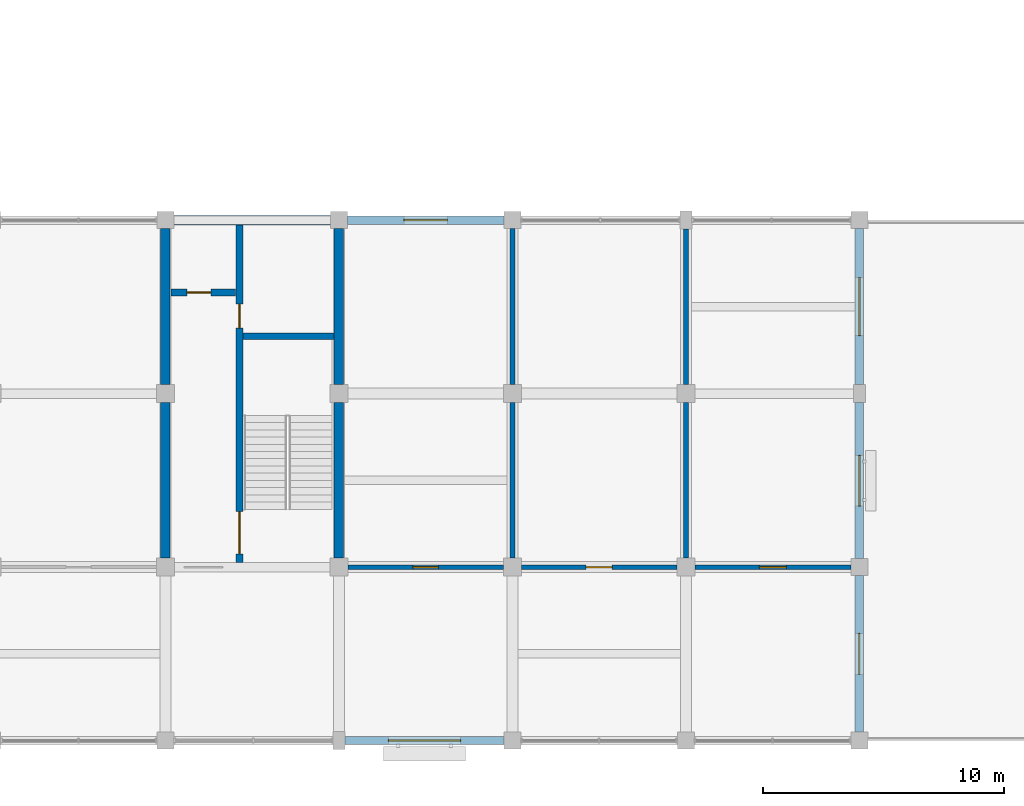
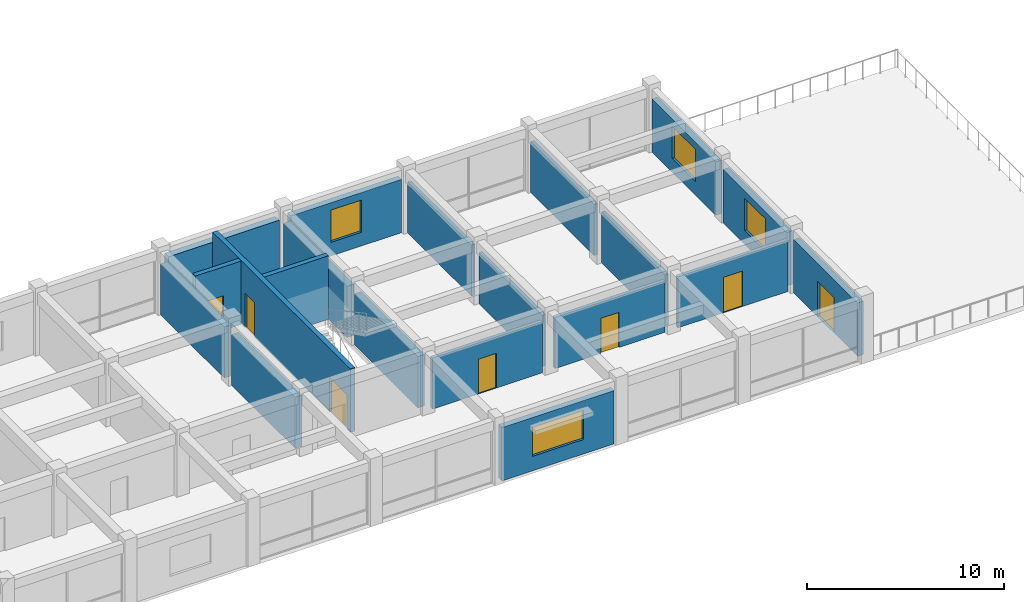
# One storey, part 24 of 31: 20 walls, 7 doors, 4 windows, 11 openings.
"""IFC4 building model written with IfcOpenShell, lengths in metres."""

from ifc_helpers import new_model, si_unit, direction, frame, frame_2d, origin, place, context, subcontext, project, spatial, rectangle, extrude, material, layer, layer_set, type_object, element, fill, save


model = new_model("IFC4")

# Units and contexts
model_context = context("Model", 3, precision=1e-05, world=origin(), true_north=direction((0.0, 1.0)))
body_context = subcontext(model_context, "Body", "Model", "MODEL_VIEW")
ifc_project = project(units=[si_unit("LENGTHUNIT", "METRE"), si_unit("AREAUNIT", "SQUARE_METRE"), si_unit("VOLUMEUNIT", "CUBIC_METRE"), si_unit("PLANEANGLEUNIT", "RADIAN"), si_unit("MASSUNIT", "GRAM", prefix="KILO")], contexts=[model_context])

# Site, building, storey
site_placement = place(None, origin())
site = spatial("IfcSite", under=ifc_project, at=site_placement, CompositionType="ELEMENT")
building_placement = place(site_placement, origin())
building = spatial("IfcBuilding", under=site, at=building_placement, Name="Cendaluz Park School", CompositionType="ELEMENT")
storey_placement = place(building_placement, frame((0.0, 0.0, 14.39990234375)))
storey = spatial("IfcBuildingStorey", under=building, at=storey_placement, Name="L03", CompositionType="ELEMENT", Elevation=14.39990234375)

# Wall, opening, door
ifc_material_1 = material(Name="Gypsum Plasterboard on Cold-Formed Stud", Category="gypsum")
ifc_layer_1 = layer(ifc_material_1, 0.199951171875)
ifc_layer_set_1 = layer_set([ifc_layer_1], Name="Gypsum Plasterboard on Cold-Formed Stud")
wall_type_1 = type_object("IfcWallType", Name="W-AC20", PredefinedType="PARTITIONING", material=ifc_layer_set_1)
wall_1_placement = place(storey_placement, frame((137.175048828125, 14.39990234375, 0.0), z_axis=(0.0, 0.0, 1.0), x_axis=(1.0, 0.0, 0.0)))
wall_1 = element("IfcWall", 1, at=wall_1_placement, inside=storey, type_object=wall_type_1, Name="WL-FD-BN7", PredefinedType="PARTITIONING", context=body_context, shape_type="SweptSolid", body=[
    extrude(rectangle(XDim=6.449951171875, YDim=0.199951171875, at=frame_2d((3.22509765625, 0.0))), origin(), (0.0, 0.0, 1.0), 3.170166015625),
])
opening_1_placement = place(wall_1_placement, frame((2.695068359375, 0.0, 0.0)))
opening_1 = element("IfcOpeningElement", 2, at=opening_1_placement, cuts=wall_1, Name="Opening DCL-04", PredefinedType="OPENING", context=body_context, shape_type="SweptSolid", body=[
    extrude(rectangle(XDim=1.06005859375, YDim=2.159912109375, at=frame_2d((0.530029296875, 1.080078125))), frame((0.0, 0.112060546875, 0.0), z_axis=(0.0, -1.0, 0.0), x_axis=(1.0, 0.0, 0.0)), (0.0, 0.0, 1.0), 0.223876953125),
])
ifc_material_2 = material(Name="Solid Core Hardwood", Category="wood")
door_type_1 = type_object("IfcDoorType", Name="DCL-04", OperationType="NOTDEFINED", PredefinedType="DOOR", material=ifc_material_2)
door_1_placement = place(opening_1_placement, origin())
door_1 = element("IfcDoor", 3, at=door_1_placement, inside=storey, type_object=door_type_1, Name="D-L03-038", OperationType="SINGLE_SWING_RIGHT", OverallHeight=2.159912109375, OverallWidth=1.06005859375, PredefinedType="DOOR", context=body_context, shape_type="SweptSolid", body=[
    extrude(rectangle(XDim=1.06005859375, YDim=2.159912109375, at=frame_2d((0.530029296875, 1.080078125))), frame((0.0, 0.02490234375, 0.0), z_axis=(0.0, -1.0, 0.0), x_axis=(1.0, 0.0, 0.0)), (0.0, 0.0, 1.0), 0.050048828125),
])
fill(opening_1, door_1)

# Walls
wall_2_placement = place(storey_placement, frame((144.0, 14.77490234375, 0.0), z_axis=(0.0, 0.0, 1.0), x_axis=(0.0, 1.0, 0.0)))
element("IfcWall", 4, at=wall_2_placement, inside=storey, type_object=wall_type_1, Name="WL-FD-BN8", PredefinedType="PARTITIONING", context=body_context, shape_type="SweptSolid", body=[
    extrude(rectangle(XDim=6.4501953125, YDim=0.199951171875, at=frame_2d((3.22509765625, 0.0))), origin(), (0.0, 0.0, 1.0), 3.170166015625),
])
wall_3_placement = place(storey_placement, frame((144.0, 21.97509765625, 0.0), z_axis=(0.0, 0.0, 1.0), x_axis=(0.0, 1.0, 0.0)))
element("IfcWall", 5, at=wall_3_placement, inside=storey, type_object=wall_type_1, Name="WL-FD-BN9", PredefinedType="PARTITIONING", context=body_context, shape_type="SweptSolid", body=[
    extrude(rectangle(XDim=6.474853515625, YDim=0.199951171875, at=frame_2d((3.2373046875, 0.0))), origin(), (0.0, 0.0, 1.0), 3.170166015625),
])

# Wall, opening, door
wall_4_placement = place(storey_placement, frame((144.375, 14.39990234375, 0.0), z_axis=(0.0, 0.0, 1.0), x_axis=(1.0, 0.0, 0.0)))
wall_4 = element("IfcWall", 6, at=wall_4_placement, inside=storey, type_object=wall_type_1, Name="WL-FD-BO0", PredefinedType="PARTITIONING", context=body_context, shape_type="SweptSolid", body=[
    extrude(rectangle(XDim=6.449951171875, YDim=0.199951171875, at=frame_2d((3.22509765625, 0.0))), origin(), (0.0, 0.0, 1.0), 3.170166015625),
])
opening_2_placement = place(wall_4_placement, frame((2.68505859375, 0.0, 0.0)))
opening_2 = element("IfcOpeningElement", 7, at=opening_2_placement, cuts=wall_4, Name="Opening DCL-05", PredefinedType="OPENING", context=body_context, shape_type="SweptSolid", body=[
    extrude(rectangle(XDim=1.080078125, YDim=2.179931640625, at=frame_2d((0.5400390625, 1.08984375))), frame((0.0, 0.112060546875, 0.0), z_axis=(0.0, -1.0, 0.0), x_axis=(1.0, 0.0, 0.0)), (0.0, 0.0, 1.0), 0.223876953125),
])
door_type_2 = type_object("IfcDoorType", Name="DCL-05", OperationType="NOTDEFINED", PredefinedType="DOOR", material=ifc_material_2)
door_2_placement = place(opening_2_placement, origin())
door_2 = element("IfcDoor", 8, at=door_2_placement, inside=storey, type_object=door_type_2, Name="D-L03-039", OperationType="SINGLE_SWING_LEFT", OverallHeight=2.179931640625, OverallWidth=1.080078125, PredefinedType="DOOR", context=body_context, shape_type="SweptSolid", body=[
    extrude(rectangle(XDim=1.080078125, YDim=2.179931640625, at=frame_2d((0.5400390625, 1.08984375))), frame((0.0, 0.02490234375, 0.0), z_axis=(0.0, -1.0, 0.0), x_axis=(1.0, 0.0, 0.0)), (0.0, 0.0, 1.0), 0.050048828125),
])
fill(opening_2, door_2)

# Walls
wall_5_placement = place(storey_placement, frame((151.199951171875, 14.77490234375, 0.0), z_axis=(0.0, 0.0, 1.0), x_axis=(0.0, 1.0, 0.0)))
element("IfcWall", 9, at=wall_5_placement, inside=storey, type_object=wall_type_1, Name="WL-FD-BO1", PredefinedType="PARTITIONING", context=body_context, shape_type="SweptSolid", body=[
    extrude(rectangle(XDim=6.4501953125, YDim=0.199951171875, at=frame_2d((3.22509765625, 0.0))), origin(), (0.0, 0.0, 1.0), 3.170166015625),
])
wall_6_placement = place(storey_placement, frame((151.199951171875, 21.97509765625, 0.0), z_axis=(0.0, 0.0, 1.0), x_axis=(0.0, 1.0, 0.0)))
element("IfcWall", 10, at=wall_6_placement, inside=storey, type_object=wall_type_1, Name="WL-FD-BO2", PredefinedType="PARTITIONING", context=body_context, shape_type="SweptSolid", body=[
    extrude(rectangle(XDim=6.449951171875, YDim=0.199951171875, at=frame_2d((3.22509765625, 0.0))), origin(), (0.0, 0.0, 1.0), 3.170166015625),
])

# Wall, opening, door
wall_7_placement = place(storey_placement, frame((151.574951171875, 14.39990234375, 0.0), z_axis=(0.0, 0.0, 1.0), x_axis=(1.0, 0.0, 0.0)))
wall_7 = element("IfcWall", 11, at=wall_7_placement, inside=storey, type_object=wall_type_1, Name="WL-FD-BO3", PredefinedType="PARTITIONING", context=body_context, shape_type="SweptSolid", body=[
    extrude(rectangle(XDim=6.47509765625, YDim=0.199951171875, at=frame_2d((3.237548828125, 0.0))), origin(), (0.0, 0.0, 1.0), 3.170166015625),
])
opening_3_placement = place(wall_7_placement, frame((2.677490234375, 0.0, 0.0)))
opening_3 = element("IfcOpeningElement", 12, at=opening_3_placement, cuts=wall_7, Name="Opening DCL-06", PredefinedType="OPENING", context=body_context, shape_type="SweptSolid", body=[
    extrude(rectangle(XDim=1.1201171875, YDim=2.199951171875, at=frame_2d((0.56005859375, 1.10009765625))), frame((0.0, 0.112060546875, 0.0), z_axis=(0.0, -1.0, 0.0), x_axis=(1.0, 0.0, 0.0)), (0.0, 0.0, 1.0), 0.223876953125),
])
door_type_3 = type_object("IfcDoorType", Name="DCL-06", OperationType="NOTDEFINED", PredefinedType="DOOR", material=ifc_material_2)
door_3_placement = place(opening_3_placement, origin())
door_3 = element("IfcDoor", 13, at=door_3_placement, inside=storey, type_object=door_type_3, Name="D-L03-040", OperationType="SINGLE_SWING_RIGHT", OverallHeight=2.199951171875, OverallWidth=1.1201171875, PredefinedType="DOOR", context=body_context, shape_type="SweptSolid", body=[
    extrude(rectangle(XDim=1.1201171875, YDim=2.199951171875, at=frame_2d((0.56005859375, 1.10009765625))), frame((0.0, 0.02490234375, 0.0), z_axis=(0.0, -1.0, 0.0), x_axis=(1.0, 0.0, 0.0)), (0.0, 0.0, 1.0), 0.050048828125),
])
fill(opening_3, door_3)

# Wall, opening, window
ifc_material_3 = material(Name="Concrete C40/50 precast", Category="concrete")
ifc_layer_2 = layer(ifc_material_3, 0.340087890625)
ifc_layer_set_2 = layer_set([ifc_layer_2], Name="Concrete C40/50 precast")
wall_type_2 = type_object("IfcWallType", Name="W-EX34", PredefinedType="SOLIDWALL", material=ifc_layer_set_2)
wall_8_placement = place(storey_placement, frame((137.050048828125, 7.199951171875, 0.0), z_axis=(0.0, 0.0, 1.0), x_axis=(1.0, 0.0, 0.0)))
wall_8 = element("IfcWall", 14, at=wall_8_placement, inside=storey, type_object=wall_type_2, Name="WL-FD-AB7", PredefinedType="SOLIDWALL", context=body_context, shape_type="SweptSolid", body=[
    extrude(rectangle(XDim=6.599853515625, YDim=0.340087890625, at=frame_2d((3.2998046875, 0.0))), origin(), (0.0, 0.0, 1.0), 3.31005859375),
])
opening_4_placement = place(wall_8_placement, frame((1.800048828125, 0.0, 0.89990234375)))
opening_4 = element("IfcOpeningElement", 15, at=opening_4_placement, cuts=wall_8, Name="Opening WN-07", PredefinedType="OPENING", context=body_context, shape_type="SweptSolid", body=[
    extrude(rectangle(XDim=3.0, YDim=1.800048828125, at=frame_2d((1.5, 0.89990234375))), frame((0.0, 0.18212890625, 0.0), z_axis=(0.0, -1.0, 0.0), x_axis=(1.0, 0.0, 0.0)), (0.0, 0.0, 1.0), 0.364013671875),
])
ifc_material_4 = material(Name="Tempered Low-E Double Glazing", Category="glass")
window_type_1 = type_object("IfcWindowType", Name="WN-07", PartitioningType="SINGLE_PANEL", PredefinedType="WINDOW", material=ifc_material_4)
window_1_placement = place(opening_4_placement, origin())
window_1 = element("IfcWindow", 16, at=window_1_placement, inside=storey, type_object=window_type_1, Name="WN-L03-017", OverallHeight=1.800048828125, OverallWidth=3.0, PartitioningType="SINGLE_PANEL", PredefinedType="WINDOW", context=body_context, shape_type="SweptSolid", body=[
    extrude(rectangle(XDim=3.0, YDim=1.800048828125, at=frame_2d((1.5, 0.89990234375))), frame((0.0, 0.030029296875, 0.0), z_axis=(0.0, -1.0, 0.0), x_axis=(1.0, 0.0, 0.0)), (0.0, 0.0, 1.0), 0.06005859375),
])
fill(opening_4, window_1)

wall_9_placement = place(storey_placement, frame((137.14990234375, 28.800048828125, 0.0), z_axis=(0.0, 0.0, 1.0), x_axis=(1.0, 0.0, 0.0)))
wall_9 = element("IfcWall", 17, at=wall_9_placement, inside=storey, type_object=wall_type_2, Name="WL-FD-AB8", PredefinedType="SOLIDWALL", context=body_context, shape_type="SweptSolid", body=[
    extrude(rectangle(XDim=6.5, YDim=0.340087890625, at=frame_2d((3.25, 0.0))), origin(), (0.0, 0.0, 1.0), 3.31005859375),
])
opening_5_placement = place(wall_9_placement, frame((2.35009765625, 0.0, 0.85009765625)))
opening_5 = element("IfcOpeningElement", 18, at=opening_5_placement, cuts=wall_9, Name="Opening WN-10", PredefinedType="OPENING", context=body_context, shape_type="SweptSolid", body=[
    extrude(rectangle(XDim=1.800048828125, YDim=2.0, at=frame_2d((0.89990234375, 1.0))), frame((0.0, 0.18212890625, 0.0), z_axis=(0.0, -1.0, 0.0), x_axis=(1.0, 0.0, 0.0)), (0.0, 0.0, 1.0), 0.364013671875),
])
window_type_2 = type_object("IfcWindowType", Name="WN-10", PartitioningType="SINGLE_PANEL", PredefinedType="WINDOW", material=ifc_material_4)
window_2_placement = place(opening_5_placement, origin())
window_2 = element("IfcWindow", 19, at=window_2_placement, inside=storey, type_object=window_type_2, Name="WN-L03-018", OverallHeight=2.0, OverallWidth=1.800048828125, PartitioningType="SINGLE_PANEL", PredefinedType="WINDOW", context=body_context, shape_type="SweptSolid", body=[
    extrude(rectangle(XDim=1.800048828125, YDim=2.0, at=frame_2d((0.89990234375, 1.0))), frame((0.0, 0.030029296875, 0.0), z_axis=(0.0, -1.0, 0.0), x_axis=(1.0, 0.0, 0.0)), (0.0, 0.0, 1.0), 0.06005859375),
])
fill(opening_5, window_2)

# Wall, opening, door
wall_10_placement = place(storey_placement, frame((158.39990234375, 7.550048828125, 0.0), z_axis=(0.0, 0.0, 1.0), x_axis=(0.0, 1.0, 0.0)))
wall_10 = element("IfcWall", 20, at=wall_10_placement, inside=storey, type_object=wall_type_2, Name="WL-FD-AB9", PredefinedType="SOLIDWALL", context=body_context, shape_type="SweptSolid", body=[
    extrude(rectangle(XDim=6.5, YDim=0.340087890625, at=frame_2d((3.25, 0.0))), origin(), (0.0, 0.0, 1.0), 3.31005859375),
])
opening_6_placement = place(wall_10_placement, frame((2.39990234375, 0.0, 0.0)))
opening_6 = element("IfcOpeningElement", 21, at=opening_6_placement, cuts=wall_10, Name="Opening DPD-04", PredefinedType="OPENING", context=body_context, shape_type="SweptSolid", body=[
    extrude(rectangle(XDim=1.699951171875, YDim=2.199951171875, at=frame_2d((0.85009765625, 1.10009765625))), frame((0.0, 0.18212890625, 0.0), z_axis=(0.0, -1.0, 0.0), x_axis=(1.0, 0.0, 0.0)), (0.0, 0.0, 1.0), 0.364013671875),
])
ifc_material_5 = material(Name="Architectural Bronze")
door_type_4 = type_object("IfcDoorType", Name="DPD-04", OperationType="DOUBLE_DOOR_SINGLE_SWING", PredefinedType="DOOR", material=ifc_material_5)
door_4_placement = place(opening_6_placement, frame((1.699951171875, 0.0, 0.0), z_axis=(0.0, 0.0, 1.0), x_axis=(-1.0, 0.0, 0.0)))
door_4 = element("IfcDoor", 22, at=door_4_placement, inside=storey, type_object=door_type_4, Name="D-L03-002", OperationType="DOUBLE_DOOR_SINGLE_SWING", OverallHeight=2.199951171875, OverallWidth=1.699951171875, PredefinedType="DOOR", context=body_context, shape_type="SweptSolid", body=[
    extrude(rectangle(XDim=1.699951171875, YDim=2.199951171875, at=frame_2d((0.85009765625, 1.10009765625))), frame((0.0, 0.02490234375, 0.0), z_axis=(0.0, -1.0, 0.0), x_axis=(1.0, 0.0, 0.0)), (0.0, 0.0, 1.0), 0.050048828125),
])
fill(opening_6, door_4)

# Wall, opening, window
wall_11_placement = place(storey_placement, frame((158.39990234375, 14.75, 0.0), z_axis=(0.0, 0.0, 1.0), x_axis=(0.0, 1.0, 0.0)))
wall_11 = element("IfcWall", 23, at=wall_11_placement, inside=storey, type_object=wall_type_2, Name="WL-FD-AC0", PredefinedType="SOLIDWALL", context=body_context, shape_type="SweptSolid", body=[
    extrude(rectangle(XDim=6.47509765625, YDim=0.340087890625, at=frame_2d((3.237548828125, 0.0))), origin(), (0.0, 0.0, 1.0), 3.31005859375),
])
opening_7_placement = place(wall_11_placement, frame((2.1875, 0.0, 0.85009765625)))
opening_7 = element("IfcOpeningElement", 24, at=opening_7_placement, cuts=wall_11, Name="Opening WN-11", PredefinedType="OPENING", context=body_context, shape_type="SweptSolid", body=[
    extrude(rectangle(XDim=2.10009765625, YDim=2.0, at=frame_2d((1.050048828125, 1.0))), frame((0.0, 0.18212890625, 0.0), z_axis=(0.0, -1.0, 0.0), x_axis=(1.0, 0.0, 0.0)), (0.0, 0.0, 1.0), 0.364013671875),
])
window_type_3 = type_object("IfcWindowType", Name="WN-11", PartitioningType="SINGLE_PANEL", PredefinedType="WINDOW", material=ifc_material_4)
window_3_placement = place(opening_7_placement, origin())
window_3 = element("IfcWindow", 25, at=window_3_placement, inside=storey, type_object=window_type_3, Name="WN-L03-019", OverallHeight=2.0, OverallWidth=2.10009765625, PartitioningType="SINGLE_PANEL", PredefinedType="WINDOW", context=body_context, shape_type="SweptSolid", body=[
    extrude(rectangle(XDim=2.10009765625, YDim=2.0, at=frame_2d((1.050048828125, 1.0))), frame((0.0, 0.030029296875, 0.0), z_axis=(0.0, -1.0, 0.0), x_axis=(1.0, 0.0, 0.0)), (0.0, 0.0, 1.0), 0.06005859375),
])
fill(opening_7, window_3)

wall_12_placement = place(storey_placement, frame((158.39990234375, 21.97509765625, 0.0), z_axis=(0.0, 0.0, 1.0), x_axis=(0.0, 1.0, 0.0)))
wall_12 = element("IfcWall", 26, at=wall_12_placement, inside=storey, type_object=wall_type_2, Name="WL-FD-AC1", PredefinedType="SOLIDWALL", context=body_context, shape_type="SweptSolid", body=[
    extrude(rectangle(XDim=6.474853515625, YDim=0.340087890625, at=frame_2d((3.2373046875, 0.0))), origin(), (0.0, 0.0, 1.0), 3.31005859375),
])
opening_8_placement = place(wall_12_placement, frame((2.03759765625, 0.0, 0.85009765625)))
opening_8 = element("IfcOpeningElement", 27, at=opening_8_placement, cuts=wall_12, Name="Opening WN-12", PredefinedType="OPENING", context=body_context, shape_type="SweptSolid", body=[
    extrude(rectangle(XDim=2.39990234375, YDim=2.0, at=frame_2d((1.199951171875, 1.0))), frame((0.0, 0.18212890625, 0.0), z_axis=(0.0, -1.0, 0.0), x_axis=(1.0, 0.0, 0.0)), (0.0, 0.0, 1.0), 0.364013671875),
])
window_type_4 = type_object("IfcWindowType", Name="WN-12", PartitioningType="SINGLE_PANEL", PredefinedType="WINDOW", material=ifc_material_4)
window_4_placement = place(opening_8_placement, origin())
window_4 = element("IfcWindow", 28, at=window_4_placement, inside=storey, type_object=window_type_4, Name="WN-L03-020", OverallHeight=2.0, OverallWidth=2.39990234375, PartitioningType="SINGLE_PANEL", PredefinedType="WINDOW", context=body_context, shape_type="SweptSolid", body=[
    extrude(rectangle(XDim=2.39990234375, YDim=2.0, at=frame_2d((1.199951171875, 1.0))), frame((0.0, 0.030029296875, 0.0), z_axis=(0.0, -1.0, 0.0), x_axis=(1.0, 0.0, 0.0)), (0.0, 0.0, 1.0), 0.06005859375),
])
fill(opening_8, window_4)

# Wall, openings, doors
ifc_material_6 = material(Name="Concrete C40/50", Category="concrete")
ifc_layer_3 = layer(ifc_material_6, 0.280029296875)
ifc_layer_set_3 = layer_set([ifc_layer_3], Name="Concrete C40/50")
wall_type_3 = type_object("IfcWallType", Name="W-FW28", PredefinedType="SHEAR", material=ifc_layer_set_3)
wall_13_placement = place(storey_placement, frame((132.679931640625, 14.60009765625, 0.0), z_axis=(0.0, 0.0, 1.0), x_axis=(0.0, 1.0, 0.0)))
wall_13 = element("IfcWall", 29, at=wall_13_placement, inside=storey, type_object=wall_type_3, Name="WL-FD-BL3", PredefinedType="SHEAR", context=body_context, shape_type="SweptSolid", body=[
    extrude(rectangle(XDim=14.0, YDim=0.280029296875, at=frame_2d((7.0, 0.0))), origin(), (0.0, 0.0, 1.0), 3.940185546875),
])
opening_9_placement = place(wall_13_placement, frame((0.35009765625, 0.0, 0.0)))
opening_9 = element("IfcOpeningElement", 30, at=opening_9_placement, cuts=wall_13, Name="Opening DST-03", PredefinedType="OPENING", context=body_context, shape_type="SweptSolid", body=[
    extrude(rectangle(XDim=1.75, YDim=2.14990234375, at=frame_2d((0.875, 1.074951171875))), frame((0.0, 0.152099609375, 0.0), z_axis=(0.0, -1.0, 0.0), x_axis=(1.0, 0.0, 0.0)), (0.0, 0.0, 1.0), 0.303955078125),
])
opening_10_placement = place(wall_13_placement, frame((9.719970703125, 0.0, 0.0)))
opening_10 = element("IfcOpeningElement", 31, at=opening_10_placement, cuts=wall_13, Name="Opening DFC-01", PredefinedType="OPENING", context=body_context, shape_type="SweptSolid", body=[
    extrude(rectangle(XDim=1.0, YDim=2.14990234375, at=frame_2d((0.5, 1.074951171875))), frame((0.0, 0.152099609375, 0.0), z_axis=(0.0, -1.0, 0.0), x_axis=(1.0, 0.0, 0.0)), (0.0, 0.0, 1.0), 0.303955078125),
])
door_type_5 = type_object("IfcDoorType", Name="DFC-01", OperationType="NOTDEFINED", PredefinedType="DOOR", material=ifc_material_2)
door_5_placement = place(opening_10_placement, frame((1.0, 0.0, 0.0), z_axis=(0.0, 0.0, 1.0), x_axis=(-1.0, 0.0, 0.0)))
door_5 = element("IfcDoor", 32, at=door_5_placement, inside=storey, type_object=door_type_5, Name="D-L03-027", OperationType="SINGLE_SWING_LEFT", OverallHeight=2.14990234375, OverallWidth=1.0, PredefinedType="DOOR", context=body_context, shape_type="SweptSolid", body=[
    extrude(rectangle(XDim=1.0, YDim=2.14990234375, at=frame_2d((0.5, 1.074951171875))), frame((0.0, 0.02490234375, 0.0), z_axis=(0.0, -1.0, 0.0), x_axis=(1.0, 0.0, 0.0)), (0.0, 0.0, 1.0), 0.050048828125),
])
fill(opening_10, door_5)
door_type_6 = type_object("IfcDoorType", Name="DST-03", OperationType="DOUBLE_DOOR_SINGLE_SWING", PredefinedType="DOOR", material=ifc_material_2)
door_6_placement = place(opening_9_placement, frame((1.75, 0.0, 0.0), z_axis=(0.0, 0.0, 1.0), x_axis=(-1.0, 0.0, 0.0)))
door_6 = element("IfcDoor", 33, at=door_6_placement, inside=storey, type_object=door_type_6, Name="D-L03-026", OperationType="DOUBLE_DOOR_SINGLE_SWING", OverallHeight=2.14990234375, OverallWidth=1.75, PredefinedType="DOOR", context=body_context, shape_type="SweptSolid", body=[
    extrude(rectangle(XDim=1.75, YDim=2.14990234375, at=frame_2d((0.875, 1.074951171875))), frame((0.0, 0.02490234375, 0.0), z_axis=(0.0, -1.0, 0.0), x_axis=(1.0, 0.0, 0.0)), (0.0, 0.0, 1.0), 0.050048828125),
])
fill(opening_9, door_6)

# Wall
wall_14_placement = place(storey_placement, frame((132.820068359375, 23.97998046875, 0.0), z_axis=(0.0, 0.0, 1.0), x_axis=(1.0, 0.0, 0.0)))
element("IfcWall", 34, at=wall_14_placement, inside=storey, type_object=wall_type_3, Name="WL-FD-BL4", PredefinedType="SHEAR", context=body_context, shape_type="SweptSolid", body=[
    extrude(rectangle(XDim=3.780029296875, YDim=0.280029296875, at=frame_2d((1.89013671875, 0.0))), origin(), (0.0, 0.0, 1.0), 3.940185546875),
])

# Wall, opening, door
wall_15_placement = place(storey_placement, frame((129.840087890625, 25.800048828125, 0.0), z_axis=(0.0, 0.0, 1.0), x_axis=(1.0, 0.0, 0.0)))
wall_15 = element("IfcWall", 35, at=wall_15_placement, inside=storey, type_object=wall_type_3, Name="WL-FD-BL5", PredefinedType="SHEAR", context=body_context, shape_type="SweptSolid", body=[
    extrude(rectangle(XDim=2.679931640625, YDim=0.280029296875, at=frame_2d((1.33984375, 0.0))), origin(), (0.0, 0.0, 1.0), 3.940185546875),
])
opening_11_placement = place(wall_15_placement, frame((0.64990234375, 0.0, 0.0)))
opening_11 = element("IfcOpeningElement", 36, at=opening_11_placement, cuts=wall_15, Name="Opening DFC-01", PredefinedType="OPENING", context=body_context, shape_type="SweptSolid", body=[
    extrude(rectangle(XDim=1.0, YDim=2.14990234375, at=frame_2d((0.5, 1.074951171875))), frame((0.0, 0.152099609375, 0.0), z_axis=(0.0, -1.0, 0.0), x_axis=(1.0, 0.0, 0.0)), (0.0, 0.0, 1.0), 0.303955078125),
])
door_7_placement = place(opening_11_placement, frame((1.0, 0.0, 0.0), z_axis=(0.0, 0.0, 1.0), x_axis=(-1.0, 0.0, 0.0)))
door_7 = element("IfcDoor", 37, at=door_7_placement, inside=storey, type_object=door_type_5, Name="D-L03-028", OperationType="SINGLE_SWING_RIGHT", OverallHeight=2.14990234375, OverallWidth=1.0, PredefinedType="DOOR", context=body_context, shape_type="SweptSolid", body=[
    extrude(rectangle(XDim=1.0, YDim=2.14990234375, at=frame_2d((0.5, 1.074951171875))), frame((0.0, 0.02490234375, 0.0), z_axis=(0.0, -1.0, 0.0), x_axis=(1.0, 0.0, 0.0)), (0.0, 0.0, 1.0), 0.050048828125),
])
fill(opening_11, door_7)

# Walls
ifc_layer_4 = layer(ifc_material_6, 0.39990234375)
ifc_layer_set_4 = layer_set([ifc_layer_4], Name="Concrete C40/50")
wall_type_4 = type_object("IfcWallType", Name="W-SH40", PredefinedType="SHEAR", material=ifc_layer_set_4)
wall_16_placement = place(storey_placement, frame((129.60009765625, 14.77490234375, 0.0), z_axis=(0.0, 0.0, 1.0), x_axis=(0.0, 1.0, 0.0)))
element("IfcWall", 38, at=wall_16_placement, inside=storey, type_object=wall_type_4, Name="WL-FD-BK7", PredefinedType="SHEAR", context=body_context, shape_type="SweptSolid", body=[
    extrude(rectangle(XDim=6.4501953125, YDim=0.39990234375, at=frame_2d((3.22509765625, 0.0))), origin(), (0.0, 0.0, 1.0), 3.170166015625),
])
wall_17_placement = place(storey_placement, frame((129.60009765625, 21.97509765625, 0.0), z_axis=(0.0, 0.0, 1.0), x_axis=(0.0, 1.0, 0.0)))
element("IfcWall", 39, at=wall_17_placement, inside=storey, type_object=wall_type_4, Name="WL-FD-BK8", PredefinedType="SHEAR", context=body_context, shape_type="SweptSolid", body=[
    extrude(rectangle(XDim=6.474853515625, YDim=0.39990234375, at=frame_2d((3.2373046875, 0.0))), origin(), (0.0, 0.0, 1.0), 3.170166015625),
])
wall_18_placement = place(storey_placement, frame((136.800048828125, 14.77490234375, 0.0), z_axis=(0.0, 0.0, 1.0), x_axis=(0.0, 1.0, 0.0)))
element("IfcWall", 40, at=wall_18_placement, inside=storey, type_object=wall_type_4, Name="WL-FD-BK9", PredefinedType="SHEAR", context=body_context, shape_type="SweptSolid", body=[
    extrude(rectangle(XDim=6.4501953125, YDim=0.39990234375, at=frame_2d((3.22509765625, 0.0))), origin(), (0.0, 0.0, 1.0), 3.170166015625),
])
wall_19_placement = place(storey_placement, frame((136.800048828125, 21.97509765625, 0.0), z_axis=(0.0, 0.0, 1.0), x_axis=(0.0, 1.0, 0.0)))
element("IfcWall", 41, at=wall_19_placement, inside=storey, type_object=wall_type_4, Name="WL-FD-BL0", PredefinedType="SHEAR", context=body_context, shape_type="SweptSolid", body=[
    extrude(rectangle(XDim=6.474853515625, YDim=0.39990234375, at=frame_2d((3.2373046875, 0.0))), origin(), (0.0, 0.0, 1.0), 3.170166015625),
])
wall_20_placement = place(storey_placement, frame((129.949951171875, 28.800048828125, 0.0), z_axis=(0.0, 0.0, 1.0), x_axis=(1.0, 0.0, 0.0)))
element("IfcWall", 42, at=wall_20_placement, inside=storey, type_object=wall_type_4, Name="WL-FD-BL2", PredefinedType="SHEAR", context=body_context, shape_type="SweptSolid", body=[
    extrude(rectangle(XDim=6.5, YDim=0.39990234375, at=frame_2d((3.25, 0.0))), origin(), (0.0, 0.0, 1.0), 3.31005859375),
])

save(model, "model.ifc")
